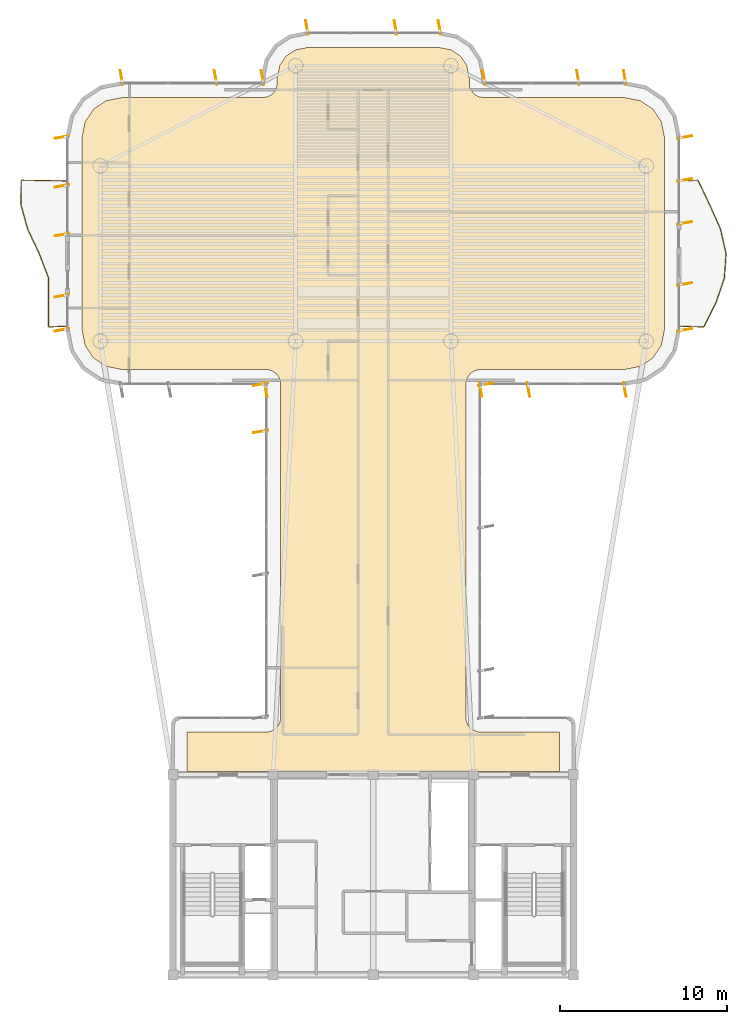
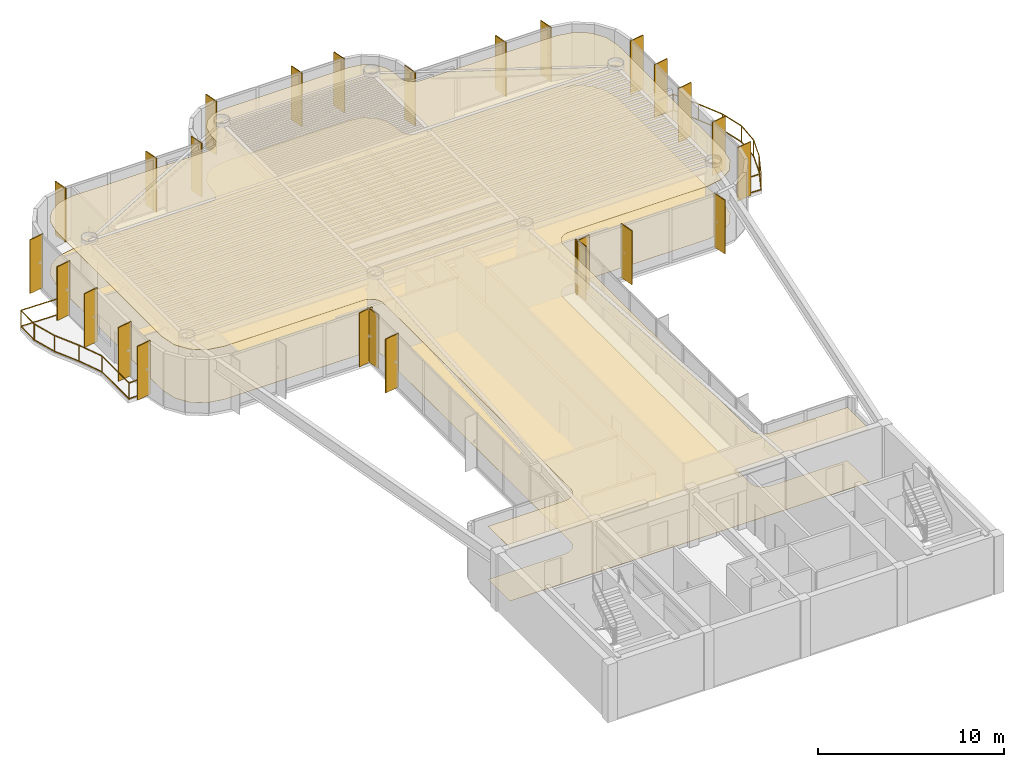
# One storey, part 15 of 15: 26 shading devices, 2 coverings, 2 railings.
"""IFC4 building model written with IfcOpenShell, lengths in metres."""

from ifc_helpers import new_model, si_unit, direction, frame, origin, origin_2d, place, context, subcontext, project, spatial, polyline, rectangle, outline, extrude, source, transform, mapped, material, layer, layer_set, material_profile, profile_set, type_object, element, save


model = new_model("IFC4")

# Units and contexts
model_context = context("Model", 3, precision=1e-05, world=origin(), true_north=direction((0.0, 1.0)))
body_context = subcontext(model_context, "Body", "Model", "MODEL_VIEW")
ifc_project = project(units=[si_unit("LENGTHUNIT", "METRE"), si_unit("AREAUNIT", "SQUARE_METRE"), si_unit("VOLUMEUNIT", "CUBIC_METRE"), si_unit("PLANEANGLEUNIT", "RADIAN"), si_unit("MASSUNIT", "GRAM", prefix="KILO")], contexts=[model_context])

# Site, building, storey
site_placement = place(None, origin())
site = spatial("IfcSite", under=ifc_project, at=site_placement, CompositionType="ELEMENT")
building_placement = place(site_placement, origin())
building = spatial("IfcBuilding", under=site, at=building_placement, Name="Brelvock Crest Care Tower", CompositionType="ELEMENT")
storey_placement = place(building_placement, frame((0.0, 0.0, 283.5)))
storey = spatial("IfcBuildingStorey", under=building, at=storey_placement, Name="L72", CompositionType="ELEMENT", Elevation=283.5)

# Coverings
ifc_material_1 = material(Name="Mineral Fibre Acoustic Ceiling Tile", Category="gypsum")
ifc_layer_1 = layer(ifc_material_1, 0.02490234375, Name="COV-CLG1")
ifc_layer_set_1 = layer_set([ifc_layer_1], Name="Mineral Fibre Acoustic Ceiling Tile")
covering_type_1 = type_object("IfcCoveringType", Name="COV-CLG1", PredefinedType="CEILING", material=ifc_layer_set_1)
covering_1_placement = place(storey_placement, frame((0.0, 0.0, 3.47509765625)))
element("IfcCovering", 1, at=covering_1_placement, inside=storey, type_object=covering_type_1, Name="L72 Acoustic Suspended Ceiling 1", PredefinedType="CEILING", context=body_context, shape_type="SweptSolid", body=[
    extrude(outline(polyline([(24.85009765625, 18.199951171875), (47.14990234375, 18.199951171875), (47.14990234375, 20.550048828125), (42.316650390625, 20.55419921875), (41.999267578125, 20.650390625), (41.799072265625, 20.799072265625), (41.650390625, 20.999267578125), (41.56640625, 21.234130859375), (41.55419921875, 41.4833984375), (41.61474609375, 41.725341796875), (41.799072265625, 42.0009765625), (42.07470703125, 42.185302734375), (42.316650390625, 42.245849609375), (51.016357421875, 42.25), (51.992919921875, 42.4443359375), (52.75, 42.9501953125), (53.255615234375, 43.70703125), (53.449951171875, 44.68359375), (53.449951171875, 56.1162109375), (53.255615234375, 57.093017578125), (52.75, 57.849853515625), (51.992919921875, 58.355712890625), (51.016357421875, 58.550048828125), (42.60009765625, 58.550048828125), (42.353271484375, 58.586669921875), (42.127685546875, 58.693359375), (41.9990234375, 58.799072265625), (41.814697265625, 59.07470703125), (41.754150390625, 59.316650390625), (41.75, 59.71630859375), (41.601318359375, 60.46337890625), (41.2255859375, 61.025634765625), (40.663330078125, 61.4013671875), (39.916259765625, 61.550048828125), (32.083740234375, 61.550048828125), (31.336669921875, 61.4013671875), (30.7744140625, 61.025634765625), (30.398681640625, 60.46337890625), (30.25, 59.71630859375), (30.245849609375, 59.316650390625), (30.185302734375, 59.07470703125), (30.0009765625, 58.799072265625), (29.872314453125, 58.693359375), (29.646728515625, 58.586669921875), (29.39990234375, 58.550048828125), (20.983642578125, 58.550048828125), (20.007080078125, 58.355712890625), (19.25, 57.849853515625), (18.744384765625, 57.093017578125), (18.550048828125, 56.1162109375), (18.550048828125, 44.68359375), (18.744384765625, 43.70703125), (19.25, 42.9501953125), (20.007080078125, 42.4443359375), (20.983642578125, 42.25), (29.683349609375, 42.245849609375), (29.92529296875, 42.185302734375), (30.200927734375, 42.0009765625), (30.349609375, 41.80078125), (30.43359375, 41.56591796875), (30.449951171875, 21.39990234375), (30.413330078125, 21.1533203125), (30.306640625, 20.927734375), (30.13916015625, 20.742919921875), (29.92529296875, 20.61474609375), (29.683349609375, 20.55419921875), (24.85009765625, 20.550048828125), (24.85009765625, 18.199951171875)])), origin(), (0.0, 0.0, 1.0), 0.02490234375),
])
ifc_material_2 = material(Name="Slip-Resistant Acoustic Vinyl Flooring", Category="finish")
ifc_layer_2 = layer(ifc_material_2, 0.014892578125, Name="COV-FLR1")
ifc_layer_set_2 = layer_set([ifc_layer_2], Name="Slip-Resistant Acoustic Vinyl Flooring")
covering_type_2 = type_object("IfcCoveringType", Name="COV-FLR1", PredefinedType="FLOORING", material=ifc_layer_set_2)
covering_2_placement = place(storey_placement, origin())
element("IfcCovering", 2, at=covering_2_placement, inside=storey, type_object=covering_type_2, Name="L72 Slip-Resistant Acoustic Flooring 1", PredefinedType="FLOORING", context=body_context, shape_type="SweptSolid", body=[
    extrude(outline(polyline([(24.85009765625, 18.199951171875), (47.14990234375, 18.199951171875), (47.14990234375, 20.550048828125), (42.316650390625, 20.55419921875), (41.999267578125, 20.650390625), (41.799072265625, 20.799072265625), (41.650390625, 20.999267578125), (41.56640625, 21.234130859375), (41.55419921875, 41.4833984375), (41.61474609375, 41.725341796875), (41.799072265625, 42.0009765625), (42.07470703125, 42.185302734375), (42.316650390625, 42.245849609375), (51.016357421875, 42.25), (51.992919921875, 42.4443359375), (52.75, 42.9501953125), (53.255615234375, 43.70703125), (53.449951171875, 44.68359375), (53.449951171875, 56.1162109375), (53.255615234375, 57.093017578125), (52.75, 57.849853515625), (51.992919921875, 58.355712890625), (51.016357421875, 58.550048828125), (42.60009765625, 58.550048828125), (42.353271484375, 58.586669921875), (42.127685546875, 58.693359375), (41.9990234375, 58.799072265625), (41.814697265625, 59.07470703125), (41.754150390625, 59.316650390625), (41.75, 59.71630859375), (41.601318359375, 60.46337890625), (41.2255859375, 61.025634765625), (40.663330078125, 61.4013671875), (39.916259765625, 61.550048828125), (32.083740234375, 61.550048828125), (31.336669921875, 61.4013671875), (30.7744140625, 61.025634765625), (30.398681640625, 60.46337890625), (30.25, 59.71630859375), (30.245849609375, 59.316650390625), (30.185302734375, 59.07470703125), (30.0009765625, 58.799072265625), (29.872314453125, 58.693359375), (29.646728515625, 58.586669921875), (29.39990234375, 58.550048828125), (20.983642578125, 58.550048828125), (20.007080078125, 58.355712890625), (19.25, 57.849853515625), (18.744384765625, 57.093017578125), (18.550048828125, 56.1162109375), (18.550048828125, 44.68359375), (18.744384765625, 43.70703125), (19.25, 42.9501953125), (20.007080078125, 42.4443359375), (20.983642578125, 42.25), (29.683349609375, 42.245849609375), (29.92529296875, 42.185302734375), (30.200927734375, 42.0009765625), (30.349609375, 41.80078125), (30.43359375, 41.56591796875), (30.449951171875, 21.39990234375), (30.413330078125, 21.1533203125), (30.306640625, 20.927734375), (30.13916015625, 20.742919921875), (29.92529296875, 20.61474609375), (29.683349609375, 20.55419921875), (24.85009765625, 20.550048828125), (24.85009765625, 18.199951171875)])), origin(), (0.0, 0.0, 1.0), 0.014892578125),
])

# Railings
ifc_material_3 = material(Name="Dark Glass Double Glazed Low-E", Category="glass")
ifc_layer_3 = layer(ifc_material_3, 0.06005859375, Name="RL-BAL1")
ifc_layer_set_3 = layer_set([ifc_layer_3], Name="Dark Glass Double Glazed Low-E")
railing_type = type_object("IfcRailingType", Name="RL-BAL1", PredefinedType="BALUSTRADE", material=ifc_layer_set_3)
railing_1_placement = place(storey_placement, frame((17.659912109375, 44.85009765625, 0.00390625)))
element("IfcRailing", 3, at=railing_1_placement, inside=storey, type_object=railing_type, Name="L72 Safety Balustrade WB-W", PredefinedType="BALUSTRADE", context=body_context, shape_type="SweptSolid", body=[
    extrude(rectangle(XDim=0.048095703125, YDim=0.048095703125, at=origin_2d()), frame((-0.001953125, 0.0, 1.09619140625), z_axis=(-0.998966252902, -0.045457953795, 0.0), x_axis=(0.045457953795, -0.998966252902, 0.0)), (0.0, 0.0, 1.0), 1.096923828125),
    extrude(rectangle(XDim=0.048095703125, YDim=0.048095703125, at=origin_2d()), frame((-0.001953125, 0.0, 0.054931640625), z_axis=(-0.998966252902, -0.045457953795, 0.0), x_axis=(0.045457953795, -0.998966252902, 0.0)), (0.0, 0.0, 1.0), 1.096923828125),
    extrude(rectangle(XDim=0.048095703125, YDim=0.048095703125, at=origin_2d()), frame((-1.099853515625, -0.048095703125, 1.09619140625), z_axis=(0.0, 1.0, 0.0), x_axis=(-1.0, 0.0, 0.0)), (0.0, 0.0, 1.0), 2.929443359375),
    extrude(rectangle(XDim=0.048095703125, YDim=0.048095703125, at=origin_2d()), frame((-1.099853515625, -0.048095703125, 0.054931640625), z_axis=(0.0, 1.0, 0.0), x_axis=(-1.0, 0.0, 0.0)), (0.0, 0.0, 1.0), 2.929443359375),
    extrude(rectangle(XDim=0.048095703125, YDim=0.048095703125, at=origin_2d()), frame((-1.1005859375, 2.88525390625, 1.09619140625), z_axis=(-0.357436663677, 0.933937380909, 0.0), x_axis=(-0.933937380909, -0.357436663677, 0.0)), (0.0, 0.0, 1.0), 1.56640625),
    extrude(rectangle(XDim=0.048095703125, YDim=0.048095703125, at=origin_2d()), frame((-1.1005859375, 2.88525390625, 0.054931640625), z_axis=(-0.357436663677, 0.933937380909, 0.0), x_axis=(-0.933937380909, -0.357436663677, 0.0)), (0.0, 0.0, 1.0), 1.56640625),
    extrude(rectangle(XDim=0.048095703125, YDim=0.048095703125, at=origin_2d()), frame((-1.661865234375, 4.3515625, 1.09619140625), z_axis=(-0.426746449171, 0.904371310978, 0.0), x_axis=(-0.904371310978, -0.426746449171, 0.0)), (0.0, 0.0, 1.0), 1.617919921875),
    extrude(rectangle(XDim=0.048095703125, YDim=0.048095703125, at=origin_2d()), frame((-1.661865234375, 4.3515625, 0.054931640625), z_axis=(-0.426746449171, 0.904371310978, 0.0), x_axis=(-0.904371310978, -0.426746449171, 0.0)), (0.0, 0.0, 1.0), 1.617919921875),
    extrude(rectangle(XDim=0.048095703125, YDim=0.048095703125, at=origin_2d()), frame((-2.353759765625, 5.818603515625, 1.09619140625), z_axis=(-0.263525028953, 0.964652558756, 0.0), x_axis=(-0.964652558756, -0.263525028953, 0.0)), (0.0, 0.0, 1.0), 1.516357421875),
    extrude(rectangle(XDim=0.048095703125, YDim=0.048095703125, at=origin_2d()), frame((-2.353759765625, 5.818603515625, 0.054931640625), z_axis=(-0.263525028953, 0.964652558756, 0.0), x_axis=(-0.964652558756, -0.263525028953, 0.0)), (0.0, 0.0, 1.0), 1.516357421875),
    extrude(rectangle(XDim=0.048095703125, YDim=0.048095703125, at=origin_2d()), frame((-2.75390625, 7.28515625, 1.09619140625), z_axis=(0.013647197663, 0.999906872662, 0.0), x_axis=(-0.999906872662, 0.013647197663, 0.0)), (0.0, 0.0, 1.0), 1.462890625),
    extrude(rectangle(XDim=0.048095703125, YDim=0.048095703125, at=origin_2d()), frame((-2.75390625, 7.28515625, 0.054931640625), z_axis=(0.013647197663, 0.999906872662, 0.0), x_axis=(-0.999906872662, 0.013647197663, 0.0)), (0.0, 0.0, 1.0), 1.462890625),
    extrude(rectangle(XDim=0.048095703125, YDim=0.048095703125, at=origin_2d()), frame((-2.73193359375, 8.75, 1.09619140625), z_axis=(0.999832471903, -0.018303773597, 0.0), x_axis=(0.018303773597, 0.999832471903, 0.0)), (0.0, 0.0, 1.0), 2.730224609375),
    extrude(rectangle(XDim=0.048095703125, YDim=0.048095703125, at=origin_2d()), frame((-2.73193359375, 8.75, 0.054931640625), z_axis=(0.999832471903, -0.018303773597, 0.0), x_axis=(0.018303773597, 0.999832471903, 0.0)), (0.0, 0.0, 1.0), 2.730224609375),
    extrude(rectangle(XDim=0.0419921875, YDim=0.0419921875, at=origin_2d()), origin(), (0.0, 0.0, 1.0), 1.070068359375),
    extrude(rectangle(XDim=0.0419921875, YDim=0.0419921875, at=origin_2d()), frame((-1.099853515625, -0.050048828125, 0.0)), (0.0, 0.0, 1.0), 1.070068359375),
    extrude(rectangle(XDim=0.0419921875, YDim=0.0419921875, at=origin_2d()), frame((-1.099853515625, 2.88330078125, 0.0)), (0.0, 0.0, 1.0), 1.070068359375),
    extrude(rectangle(XDim=0.0419921875, YDim=0.0419921875, at=origin_2d()), frame((-1.6611328125, 4.349853515625, 0.0)), (0.0, 0.0, 1.0), 1.070068359375),
    extrude(rectangle(XDim=0.0419921875, YDim=0.0419921875, at=origin_2d()), frame((-2.353271484375, 5.816650390625, 0.0)), (0.0, 0.0, 1.0), 1.070068359375),
    extrude(rectangle(XDim=0.0419921875, YDim=0.0419921875, at=origin_2d()), frame((-2.75390625, 7.283203125, 0.0)), (0.0, 0.0, 1.0), 1.070068359375),
    extrude(rectangle(XDim=0.0419921875, YDim=0.0419921875, at=origin_2d()), frame((-2.73388671875, 8.75, 0.0)), (0.0, 0.0, 1.0), 1.070068359375),
    extrude(rectangle(XDim=0.0419921875, YDim=0.0419921875, at=origin_2d()), frame((0.0, 8.699951171875, 0.0)), (0.0, 0.0, 1.0), 1.070068359375),
])
railing_2_placement = place(storey_placement, frame((54.340087890625, 44.85009765625, 0.00390625)))
element("IfcRailing", 4, at=railing_2_placement, inside=storey, type_object=railing_type, Name="L72 Safety Balustrade WB-E", PredefinedType="BALUSTRADE", context=body_context, shape_type="SweptSolid", body=[
    extrude(rectangle(XDim=0.048095703125, YDim=0.048095703125, at=origin_2d()), frame((0.001953125, 0.0, 1.09619140625), z_axis=(0.999404799616, -0.034497050669, 0.0), x_axis=(0.034497050669, 0.999404799616, 0.0)), (0.0, 0.0, 1.0), 1.44677734375),
    extrude(rectangle(XDim=0.048095703125, YDim=0.048095703125, at=origin_2d()), frame((0.001953125, 0.0, 0.054931640625), z_axis=(0.999404799616, -0.034497050669, 0.0), x_axis=(0.034497050669, 0.999404799616, 0.0)), (0.0, 0.0, 1.0), 1.44677734375),
    extrude(rectangle(XDim=0.048095703125, YDim=0.048095703125, at=origin_2d()), frame((1.450927734375, -0.04833984375, 1.09619140625), z_axis=(0.448225238773, 0.893920653821, 0.0), x_axis=(-0.893920653821, 0.448225238773, 0.0)), (0.0, 0.0, 1.0), 1.636474609375),
    extrude(rectangle(XDim=0.048095703125, YDim=0.048095703125, at=origin_2d()), frame((1.450927734375, -0.04833984375, 0.054931640625), z_axis=(0.448225238773, 0.893920653821, 0.0), x_axis=(-0.893920653821, 0.448225238773, 0.0)), (0.0, 0.0, 1.0), 1.636474609375),
    extrude(rectangle(XDim=0.048095703125, YDim=0.048095703125, at=origin_2d()), frame((2.18603515625, 1.41845703125, 1.09619140625), z_axis=(0.321377111723, 0.946951293394, 0.0), x_axis=(-0.946951293394, 0.321377111723, 0.0)), (0.0, 0.0, 1.0), 1.544921875),
    extrude(rectangle(XDim=0.048095703125, YDim=0.048095703125, at=origin_2d()), frame((2.18603515625, 1.41845703125, 0.054931640625), z_axis=(0.321377111723, 0.946951293394, 0.0), x_axis=(-0.946951293394, 0.321377111723, 0.0)), (0.0, 0.0, 1.0), 1.544921875),
    extrude(rectangle(XDim=0.048095703125, YDim=0.048095703125, at=origin_2d()), frame((2.683349609375, 2.88525390625, 1.09619140625), z_axis=(0.068095275072, 0.997678822825, 0.0), x_axis=(-0.997678822825, 0.068095275072, 0.0)), (0.0, 0.0, 1.0), 1.466064453125),
    extrude(rectangle(XDim=0.048095703125, YDim=0.048095703125, at=origin_2d()), frame((2.683349609375, 2.88525390625, 0.054931640625), z_axis=(0.068095275072, 0.997678822825, 0.0), x_axis=(-0.997678822825, 0.068095275072, 0.0)), (0.0, 0.0, 1.0), 1.466064453125),
    extrude(rectangle(XDim=0.048095703125, YDim=0.048095703125, at=origin_2d()), frame((2.78271484375, 4.351806640625, 1.09619140625), z_axis=(-0.219543106889, 0.975602800435, 0.0), x_axis=(-0.975602800435, -0.219543106889, 0.0)), (0.0, 0.0, 1.0), 1.49951171875),
    extrude(rectangle(XDim=0.048095703125, YDim=0.048095703125, at=origin_2d()), frame((2.78271484375, 4.351806640625, 0.054931640625), z_axis=(-0.219543106889, 0.975602800435, 0.0), x_axis=(-0.975602800435, -0.219543106889, 0.0)), (0.0, 0.0, 1.0), 1.49951171875),
    extrude(rectangle(XDim=0.048095703125, YDim=0.048095703125, at=origin_2d()), frame((2.452392578125, 5.818359375, 1.09619140625), z_axis=(-0.407182153329, 0.913346973505, 0.0), x_axis=(-0.913346973505, -0.407182153329, 0.0)), (0.0, 0.0, 1.0), 1.601806640625),
    extrude(rectangle(XDim=0.048095703125, YDim=0.048095703125, at=origin_2d()), frame((2.452392578125, 5.818359375, 0.054931640625), z_axis=(-0.407182153329, 0.913346973505, 0.0), x_axis=(-0.913346973505, -0.407182153329, 0.0)), (0.0, 0.0, 1.0), 1.601806640625),
    extrude(rectangle(XDim=0.048095703125, YDim=0.048095703125, at=origin_2d()), frame((1.79833984375, 7.284912109375, 1.09619140625), z_axis=(-0.430429214624, 0.902624335589, 0.0), x_axis=(-0.902624335589, -0.430429214624, 0.0)), (0.0, 0.0, 1.0), 1.62109375),
    extrude(rectangle(XDim=0.048095703125, YDim=0.048095703125, at=origin_2d()), frame((1.79833984375, 7.284912109375, 0.054931640625), z_axis=(-0.430429214624, 0.902624335589, 0.0), x_axis=(-0.902624335589, -0.430429214624, 0.0)), (0.0, 0.0, 1.0), 1.62109375),
    extrude(rectangle(XDim=0.048095703125, YDim=0.048095703125, at=origin_2d()), frame((1.097900390625, 8.75, 1.09619140625), z_axis=(-0.998966252902, -0.045457953795, 0.0), x_axis=(0.045457953795, -0.998966252902, 0.0)), (0.0, 0.0, 1.0), 1.096923828125),
    extrude(rectangle(XDim=0.048095703125, YDim=0.048095703125, at=origin_2d()), frame((1.097900390625, 8.75, 0.054931640625), z_axis=(-0.998966252902, -0.045457953795, 0.0), x_axis=(0.045457953795, -0.998966252902, 0.0)), (0.0, 0.0, 1.0), 1.096923828125),
    extrude(rectangle(XDim=0.0419921875, YDim=0.0419921875, at=origin_2d()), origin(), (0.0, 0.0, 1.0), 1.070068359375),
    extrude(rectangle(XDim=0.0419921875, YDim=0.0419921875, at=origin_2d()), frame((1.449951171875, -0.050048828125, 0.0)), (0.0, 0.0, 1.0), 1.070068359375),
    extrude(rectangle(XDim=0.0419921875, YDim=0.0419921875, at=origin_2d()), frame((2.185302734375, 1.41650390625, 0.0)), (0.0, 0.0, 1.0), 1.070068359375),
    extrude(rectangle(XDim=0.0419921875, YDim=0.0419921875, at=origin_2d()), frame((2.68310546875, 2.88330078125, 0.0)), (0.0, 0.0, 1.0), 1.070068359375),
    extrude(rectangle(XDim=0.0419921875, YDim=0.0419921875, at=origin_2d()), frame((2.783203125, 4.349853515625, 0.0)), (0.0, 0.0, 1.0), 1.070068359375),
    extrude(rectangle(XDim=0.0419921875, YDim=0.0419921875, at=origin_2d()), frame((2.453125, 5.816650390625, 0.0)), (0.0, 0.0, 1.0), 1.070068359375),
    extrude(rectangle(XDim=0.0419921875, YDim=0.0419921875, at=origin_2d()), frame((1.79931640625, 7.283203125, 0.0)), (0.0, 0.0, 1.0), 1.070068359375),
    extrude(rectangle(XDim=0.0419921875, YDim=0.0419921875, at=origin_2d()), frame((1.099853515625, 8.75, 0.0)), (0.0, 0.0, 1.0), 1.070068359375),
    extrude(rectangle(XDim=0.0419921875, YDim=0.0419921875, at=origin_2d()), frame((0.0, 8.699951171875, 0.0)), (0.0, 0.0, 1.0), 1.070068359375),
])

# Shading devices
ifc_material_4 = material(Name="Aluminium 6063-T6", Category="aluminium")
ifc_material_profile = material_profile(ifc_material_4, rectangle(XDim=0.054931640625, YDim=0.89990234375, at=origin_2d()), Name="FIN55x900")
ifc_profile_set = profile_set([ifc_material_profile], Name="Aluminium 6063-T6")
shading_device_type = type_object("IfcShadingDeviceType", Name="SHD-FIN1", PredefinedType="USERDEFINED", material=ifc_profile_set)
shared_shape = source(origin(), body_context, "Body", "SweptSolid", [
    extrude(rectangle(XDim=0.054931640625, YDim=0.89990234375, at=origin_2d()), origin(), (0.0, 0.0, 1.0), 3.530029296875),
])
for number, where, z_axis, x_axis, name in (
    (5, (29.260009765625, 38.54296875, 0.0), (0.0, 0.0, 1.0), (-0.173648177667, 0.984807753012, 0.0), "L72 Vertical Sunshade Fin E11-07"),
    (6, (29.260009765625, 41.3701171875, 0.0), (0.0, 0.0, 1.0), (-0.173648177667, 0.984807753012, 0.0), "L72 Vertical Sunshade Fin E11-08"),
    (7, (29.570068359375, 41.06005859375, 0.0), (0.0, 0.0, 1.0), (-0.984807753012, -0.173648177667, 0.0), "L72 Vertical Sunshade Fin E12-01"),
    (8, (17.360107421875, 44.6298828125, 0.0), (0.0, 0.0, 1.0), (-0.173648177667, 0.984807753012, 0.0), "L72 Vertical Sunshade Fin E17A-01"),
    (9, (17.360107421875, 46.669921875, 0.0), (0.0, 0.0, 1.0), (-0.173648177667, 0.984807753012, 0.0), "L72 Vertical Sunshade Fin E17A-02"),
    (10, (17.360107421875, 50.330078125, 0.0), (0.0, 0.0, 1.0), (-0.173648177667, 0.984807753012, 0.0), "L72 Vertical Sunshade Fin E17B-01"),
    (11, (17.360107421875, 53.25, 0.0), (0.0, 0.0, 1.0), (-0.173648177667, 0.984807753012, 0.0), "L72 Vertical Sunshade Fin E17B-02"),
    (12, (17.360107421875, 56.169921875, 0.0), (0.0, 0.0, 1.0), (-0.173648177667, 0.984807753012, 0.0), "L72 Vertical Sunshade Fin E17B-03"),
    (13, (20.929931640625, 59.739990234375, 0.0), (0.0, 0.0, 1.0), (0.984807753012, 0.173648177667, 0.0), "L72 Vertical Sunshade Fin E22-01"),
    (14, (26.566650390625, 59.739990234375, 0.0), (0.0, 0.0, 1.0), (0.984807753012, 0.173648177667, 0.0), "L72 Vertical Sunshade Fin E22-03"),
    (15, (29.3701171875, 59.739990234375, 0.0), (0.0, 0.0, 1.0), (0.984807753012, 0.173648177667, 0.0), "L72 Vertical Sunshade Fin E22-04"),
    (16, (32.030029296875, 62.739990234375, 0.0), (0.0, 0.0, 1.0), (0.984807753012, 0.173648177667, 0.0), "L72 Vertical Sunshade Fin E28-01"),
    (17, (37.333251953125, 62.739990234375, 0.0), (0.0, 0.0, 1.0), (0.984807753012, 0.173648177667, 0.0), "L72 Vertical Sunshade Fin E28-03"),
    (18, (39.969970703125, 62.739990234375, 0.0), (0.0, 0.0, 1.0), (0.984807753012, 0.173648177667, 0.0), "L72 Vertical Sunshade Fin E28-04"),
    (19, (42.6298828125, 59.739990234375, 0.0), (0.0, 0.0, 1.0), (0.984807753012, 0.173648177667, 0.0), "L72 Vertical Sunshade Fin E34-01"),
    (20, (48.2666015625, 59.739990234375, 0.0), (0.0, 0.0, 1.0), (0.984807753012, 0.173648177667, 0.0), "L72 Vertical Sunshade Fin E34-03"),
    (21, (51.070068359375, 59.739990234375, 0.0), (0.0, 0.0, 1.0), (0.984807753012, 0.173648177667, 0.0), "L72 Vertical Sunshade Fin E34-04"),
    (22, (54.639892578125, 56.169921875, 0.0), (0.0, 0.0, 1.0), (0.173648177667, -0.984807753012, 0.0), "L72 Vertical Sunshade Fin E39A-01"),
    (23, (54.639892578125, 53.60009765625, 0.0), (0.0, 0.0, 1.0), (0.173648177667, -0.984807753012, 0.0), "L72 Vertical Sunshade Fin E39A-02"),
    (24, (54.639892578125, 51.030029296875, 0.0), (0.0, 0.0, 1.0), (0.173648177667, -0.984807753012, 0.0), "L72 Vertical Sunshade Fin E39A-03"),
    (25, (54.639892578125, 47.3701171875, 0.0), (0.0, 0.0, 1.0), (0.173648177667, -0.984807753012, 0.0), "L72 Vertical Sunshade Fin E39B-01"),
    (26, (54.639892578125, 44.6298828125, 0.0), (0.0, 0.0, 1.0), (0.173648177667, -0.984807753012, 0.0), "L72 Vertical Sunshade Fin E39B-02"),
    (27, (51.070068359375, 41.06005859375, 0.0), (0.0, 0.0, 1.0), (-0.984807753012, -0.173648177667, 0.0), "L72 Vertical Sunshade Fin E44-01"),
    (28, (45.300048828125, 41.06005859375, 0.0), (0.0, 0.0, 1.0), (-0.984807753012, -0.173648177667, 0.0), "L72 Vertical Sunshade Fin E44-03"),
    (29, (42.429931640625, 41.06005859375, 0.0), (0.0, 0.0, 1.0), (-0.984807753012, -0.173648177667, 0.0), "L72 Vertical Sunshade Fin E44-04"),
    (30, (42.739990234375, 41.3701171875, 0.0), (0.0, 0.0, 1.0), (0.173648177667, -0.984807753012, 0.0), "L72 Vertical Sunshade Fin E45-01"),
):
    element("IfcShadingDevice", number, at=place(storey_placement, frame(where, z_axis=z_axis, x_axis=x_axis)), inside=storey, type_object=shading_device_type, Name=name, ObjectType="FIN", PredefinedType="USERDEFINED", context=body_context, shape_type="MappedRepresentation", body=[
        mapped(shared_shape, transform((0.0, 0.0, 0.0), x_axis=(1.0, 0.0, 0.0), y_axis=(0.0, 1.0, 0.0), z_axis=(0.0, 0.0, 1.0), scale=1.0)),
    ])

save(model, "model.ifc")
